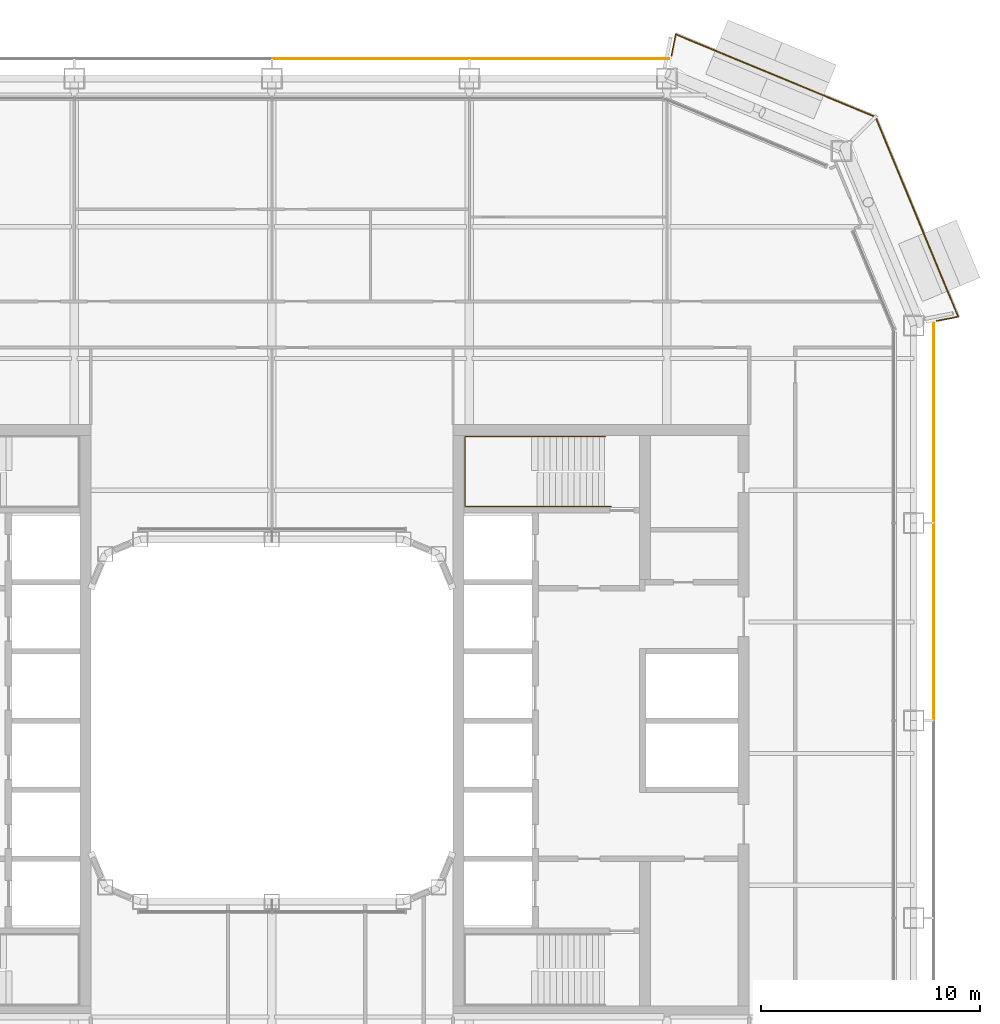
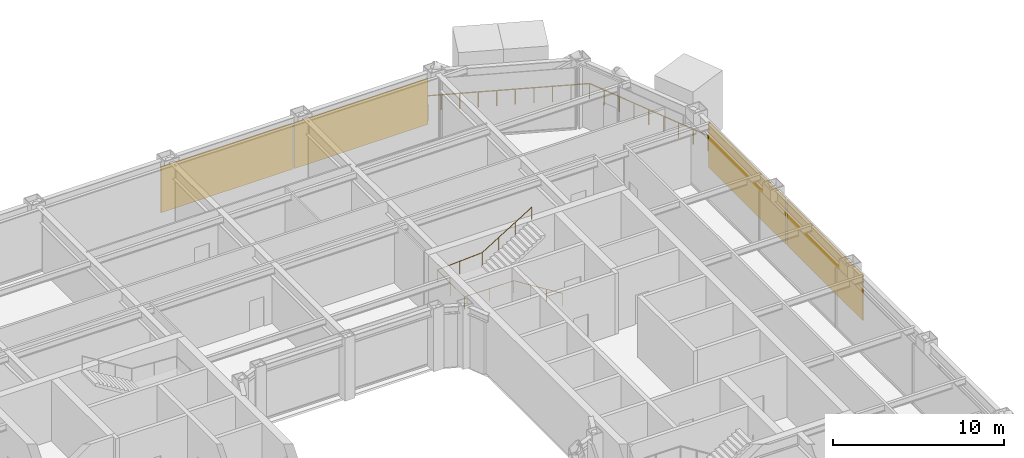
# One storey, part 23 of 24: 4 coverings, 2 railings.
"""IFC4 building model written with IfcOpenShell, lengths in metres."""

import ifcopenshell
import ifcopenshell.guid

model = None  # the IFC model being written
_history = None  # IfcOwnerHistory: only IFC2X3 demands one
_inside = {}  # id of a spatial element -> (the spatial element, [elements in it])
_under = {}  # id of a project, library or spatial element -> (it, [spatial elements below it])
_declared = {}  # id of a project -> (the project, [libraries it declares])
_typed = {}  # id of a type object -> (the type object, [elements of that type])
_made_of = {}  # id of a material, layer set ... -> (it, [elements and type objects made of it])


def new_model(schema):
    """Start an empty IFC model of exactly this schema.

    Asked for "IFC4X3", IfcOpenShell would pick the latest addendum, in which some entities
    have other attributes; the version numbers below select the first issue.
    IFC2X3 requires an IfcOwnerHistory on every rooted entity: one is made here for all.
    """
    global model, _history
    if schema == "IFC4X3":
        model = ifcopenshell.file(schema_version=(4, 3, 0, 0))
    else:
        model = ifcopenshell.file(schema=schema)
    _inside.clear()
    _under.clear()
    _declared.clear()
    _typed.clear()
    _made_of.clear()
    _history = None
    if model.schema == "IFC2X3":
        org = make("IfcOrganization", Name="unknown")
        user = make(
            "IfcPersonAndOrganization",
            ThePerson=make("IfcPerson", FamilyName="unknown"),
            TheOrganization=org,
        )
        app = make(
            "IfcApplication",
            ApplicationDeveloper=org,
            Version="unknown",
            ApplicationFullName="unknown",
            ApplicationIdentifier="unknown",
        )
        _history = make(
            "IfcOwnerHistory",
            OwningUser=user,
            OwningApplication=app,
            ChangeAction="ADDED",
            CreationDate=0,
        )
    return model


def make(cls, **values):
    """One entity of the class cls with the attributes given. An attribute that is None is left unset."""
    return model.create_entity(
        cls, **{name: value for name, value in values.items() if value is not None}
    )


def rooted(cls, **values):
    """An entity with a GlobalId (a new one), such as an element, a storey or a relation."""
    return make(cls, GlobalId=ifcopenshell.guid.new(), OwnerHistory=_history, **values)


def si_unit(unit_type, name, prefix=None):
    """IfcSIUnit, for example si_unit("LENGTHUNIT", "METRE", prefix="MILLI")."""
    return make("IfcSIUnit", UnitType=unit_type, Prefix=prefix, Name=name)


def assignment(units):
    """IfcUnitAssignment: the units of a project."""
    return None if units is None else make("IfcUnitAssignment", Units=units)


def point(xyz):
    """IfcCartesianPoint."""
    return None if xyz is None else make("IfcCartesianPoint", Coordinates=xyz)


def direction(xyz):
    """IfcDirection."""
    return None if xyz is None else make("IfcDirection", DirectionRatios=xyz)


def frame(location, z_axis=None, x_axis=None):
    """IfcAxis2Placement3D, a coordinate frame: its origin and axes. An axis left out is left unset."""
    return make(
        "IfcAxis2Placement3D",
        Location=point(location),
        Axis=direction(z_axis),
        RefDirection=direction(x_axis),
    )


def frame_2d(location, x_axis=None):
    """IfcAxis2Placement2D, a coordinate frame in the plane: its origin and x axis."""
    return make(
        "IfcAxis2Placement2D", Location=point(location), RefDirection=direction(x_axis)
    )


def origin():
    """The frame at (0, 0, 0) with its axes left unset."""
    return frame((0.0, 0.0, 0.0))


def origin_2d():
    """The frame at (0, 0) in the plane with its x axis left unset."""
    return frame_2d((0.0, 0.0))


def place(relative_to, where):
    """IfcLocalPlacement: puts the frame where relative to a parent placement (None: the world)."""
    return make(
        "IfcLocalPlacement", PlacementRelTo=relative_to, RelativePlacement=where
    )


def context(
    kind, dimensions, precision=None, world=None, true_north=None, identifier=None
):
    """IfcGeometricRepresentationContext, for example the 3D "Model" context."""
    return make(
        "IfcGeometricRepresentationContext",
        ContextIdentifier=identifier,
        ContextType=kind,
        CoordinateSpaceDimension=dimensions,
        Precision=precision,
        WorldCoordinateSystem=world,
        TrueNorth=true_north,
    )


def subcontext(parent, identifier, kind, view, scale=None):
    """IfcGeometricRepresentationSubContext, for example "Body" below "Model"."""
    return make(
        "IfcGeometricRepresentationSubContext",
        ContextIdentifier=identifier,
        ContextType=kind,
        ParentContext=parent,
        TargetScale=scale,
        TargetView=view,
    )


def project(units=None, contexts=None):
    """IfcProject with its units and contexts."""
    return rooted(
        "IfcProject",
        Name="project",
        RepresentationContexts=contexts,
        UnitsInContext=assignment(units),
    )


def spatial(cls, under=None, at=None, **own):
    """A site, building, storey or space (cls), placed at a placement, below another one or the project."""
    s = rooted(cls, ObjectPlacement=at, **own)
    if under is not None:
        _under.setdefault(under.id(), (under, []))[1].append(s)
    return s


def profile(cls, at=None, kind="AREA", **sizes):
    """A parametric profile (cls). Its sizes go by their IFC names, for example OverallWidth=200.0."""
    return make(cls, ProfileType=kind, Position=at, **sizes)


def rectangle(**sizes):
    """IfcRectangleProfileDef."""
    return profile("IfcRectangleProfileDef", **sizes)


def circle(**sizes):
    """IfcCircleProfileDef."""
    return profile("IfcCircleProfileDef", **sizes)


def extrude(swept, where, along, depth):
    """IfcExtrudedAreaSolid: the profile swept, set in the frame where, extruded along a direction by depth."""
    return make(
        "IfcExtrudedAreaSolid",
        SweptArea=swept,
        Position=where,
        ExtrudedDirection=direction(along),
        Depth=depth,
    )


def shape(context_of_items, identifier, shape_type, items):
    """IfcShapeRepresentation: the items that make up one representation, for example the "Body"."""
    return make(
        "IfcShapeRepresentation",
        ContextOfItems=context_of_items,
        RepresentationIdentifier=identifier,
        RepresentationType=shape_type,
        Items=items,
    )


def material(Name=None, Category=None):
    """IfcMaterial."""
    return make("IfcMaterial", Name=Name, Category=Category)


def layer(
    of_material, thickness, ventilated=None, Name=None, Category=None, Priority=None
):
    """IfcMaterialLayer: one layer of a wall or slab, of a material (None: an air gap)."""
    return make(
        "IfcMaterialLayer",
        Material=of_material,
        LayerThickness=thickness,
        IsVentilated=ventilated,
        Name=Name,
        Category=Category,
        Priority=Priority,
    )


def layer_set(layers, Name=None):
    """IfcMaterialLayerSet."""
    return make("IfcMaterialLayerSet", MaterialLayers=layers, LayerSetName=Name)


def made_of(thing, what):
    """Note that an element or type object is made of a material, layer set ...; save() writes the relation."""
    if what is not None:
        _made_of.setdefault(what.id(), (what, []))[1].append(thing)
    return thing


def type_object(cls, material=None, **own):
    """A type object (cls), such as IfcWallType, which elements share."""
    return made_of(rooted(cls, **own), material)


def element(
    cls,
    number,
    at=None,
    inside=None,
    cuts=None,
    type_object=None,
    material=None,
    context=None,
    identifier="Body",
    shape_type=None,
    held_by="IfcProductDefinitionShape",
    body=None,
    shapes=None,
    **own,
):
    """One element of the class cls, such as IfcWall. Its Tag is "e" and its number.

    at: its placement. inside: the storey or other place that contains it. cuts: it is an
    opening in that element (IfcRelVoidsElement). A single representation is given by context,
    identifier, shape_type and body (its items); several are given by shapes. held_by: the class
    of the entity that holds the representations. save() writes the other relations.
    """
    e = rooted(cls, Tag="e%d" % number, ObjectPlacement=at, **own)
    if body is not None:
        shapes = [shape(context, identifier, shape_type, body)]
    if shapes is not None:
        e.Representation = make(held_by, Representations=shapes)
    if inside is not None:
        _inside.setdefault(inside.id(), (inside, []))[1].append(e)
    if cuts is not None:
        rooted(
            "IfcRelVoidsElement", RelatingBuildingElement=cuts, RelatedOpeningElement=e
        )
    if type_object is not None:
        _typed.setdefault(type_object.id(), (type_object, []))[1].append(e)
    return made_of(e, material)


def aggregate(whole, parts):
    """IfcRelAggregates: a whole, such as a stair, and the parts it consists of."""
    return rooted("IfcRelAggregates", RelatingObject=whole, RelatedObjects=parts)


def save(model, path):
    """Write the relations noted so far, then the file.

    IfcRelAggregates (storeys below a building ...), IfcRelContainedInSpatialStructure (elements
    in a storey), IfcRelDefinesByType, IfcRelAssociatesMaterial and IfcRelDeclares: one each for
    every whole, place, type object, material and project.
    """
    for whole, parts in _under.values():
        aggregate(whole, parts)
    for where, things in _inside.values():
        rooted(
            "IfcRelContainedInSpatialStructure",
            RelatedElements=things,
            RelatingStructure=where,
        )
    for kind, things in _typed.values():
        rooted("IfcRelDefinesByType", RelatedObjects=things, RelatingType=kind)
    for what, things in _made_of.values():
        rooted("IfcRelAssociatesMaterial", RelatedObjects=things, RelatingMaterial=what)
    for by, libraries in _declared.values():
        rooted("IfcRelDeclares", RelatingContext=by, RelatedDefinitions=libraries)
    model.write(path)


model = new_model("IFC4")

# Units and contexts
model_context = context("Model", 3, precision=1e-05, world=origin(), true_north=direction((0.0, 1.0)))
body_context = subcontext(model_context, "Body", "Model", "MODEL_VIEW")
ifc_project = project(units=[si_unit("LENGTHUNIT", "METRE"), si_unit("AREAUNIT", "SQUARE_METRE"), si_unit("VOLUMEUNIT", "CUBIC_METRE"), si_unit("PLANEANGLEUNIT", "RADIAN"), si_unit("MASSUNIT", "GRAM", prefix="KILO")], contexts=[model_context])

# Site, building, storey
site_placement = place(None, origin())
site = spatial("IfcSite", under=ifc_project, at=site_placement, CompositionType="ELEMENT")
building_placement = place(site_placement, origin())
building = spatial("IfcBuilding", under=site, at=building_placement, Name="Siwar Civic Tower", CompositionType="ELEMENT")
storey_placement = place(building_placement, frame((0.0, 0.0, 113.699951171875)))
storey = spatial("IfcBuildingStorey", under=building, at=storey_placement, Name="L24", CompositionType="ELEMENT", Elevation=113.699951171875)

# Railings
ifc_material_1 = material(Name="Stainless steel", Category="steel")
railing_type_1 = type_object("IfcRailingType", Name="CORE-STAIR-HANDRAIL", PredefinedType="HANDRAIL", material=ifc_material_1)
railing_1_placement = place(storey_placement, frame((15.449951171875, 9.758056640625, 0.173095703125)))
element("IfcRailing", 1, at=railing_1_placement, inside=storey, type_object=railing_type_1, Name="Stair handrail ST3", PredefinedType="HANDRAIL", context=body_context, shape_type="SweptSolid", body=[
    extrude(circle(Radius=0.02001953125, at=origin_2d()), frame((0.0, 0.0, 0.8798828125), z_axis=(-0.847063342986, 0.0, 0.531491950051), x_axis=(0.0, -1.0, 0.0)), (0.0, 0.0, 1.0), 3.90771484375),
    extrude(circle(Radius=0.02001953125, at=origin_2d()), frame((-3.31005859375, 0.0, 2.956787109375), z_axis=(-1.0, 0.0, 0.0), x_axis=(0.0, -1.0, 0.0)), (0.0, 0.0, 1.0), 3.331787109375),
    extrude(circle(Radius=0.02001953125, at=origin_2d()), frame((-6.641845703125, 0.0, 2.956787109375), z_axis=(0.0, 1.0, 0.0), x_axis=(-1.0, 0.0, 0.0)), (0.0, 0.0, 1.0), 3.183837890625),
    extrude(circle(Radius=0.02001953125, at=origin_2d()), frame((-6.641845703125, 3.183837890625, 2.956787109375), z_axis=(0.99837434197, 0.0, 0.056997134106), x_axis=(0.0, 1.0, 0.0)), (0.0, 0.0, 1.0), 3.036865234375),
    extrude(circle(Radius=0.02001953125, at=origin_2d()), frame((-3.60986328125, 3.183837890625, 3.1298828125), z_axis=(0.850606129759, 0.0, 0.525803396734), x_axis=(0.0, 1.0, 0.0)), (0.0, 0.0, 1.0), 3.949951171875),
    extrude(circle(Radius=0.02001953125, at=origin_2d()), origin(), (0.0, 0.0, 1.0), 0.85986328125),
    extrude(circle(Radius=0.02001953125, at=origin_2d()), frame((-1.103271484375, 0.0, 0.6923828125)), (0.0, 0.0, 1.0), 0.85986328125),
    extrude(circle(Radius=0.02001953125, at=origin_2d()), frame((-2.206787109375, 0.0, 1.384521484375)), (0.0, 0.0, 1.0), 0.85986328125),
    extrude(circle(Radius=0.02001953125, at=origin_2d()), frame((-3.31005859375, 0.0, 2.076904296875)), (0.0, 0.0, 1.0), 0.85986328125),
    extrude(circle(Radius=0.02001953125, at=origin_2d()), frame((-4.97607421875, 0.0, 2.076904296875)), (0.0, 0.0, 1.0), 0.85986328125),
    extrude(circle(Radius=0.02001953125, at=origin_2d()), frame((-6.641845703125, 0.0, 2.076904296875)), (0.0, 0.0, 1.0), 0.85986328125),
    extrude(circle(Radius=0.02001953125, at=origin_2d()), frame((-6.641845703125, 1.591796875, 2.076904296875)), (0.0, 0.0, 1.0), 0.85986328125),
    extrude(circle(Radius=0.02001953125, at=origin_2d()), frame((-6.641845703125, 3.183837890625, 2.076904296875)), (0.0, 0.0, 1.0), 0.85986328125),
    extrude(circle(Radius=0.02001953125, at=origin_2d()), frame((-5.1259765625, 3.183837890625, 2.16357421875)), (0.0, 0.0, 1.0), 0.85986328125),
    extrude(circle(Radius=0.02001953125, at=origin_2d()), frame((-3.60986328125, 3.183837890625, 2.25)), (0.0, 0.0, 1.0), 0.85986328125),
    extrude(circle(Radius=0.02001953125, at=origin_2d()), frame((-2.489990234375, 3.183837890625, 2.9423828125)), (0.0, 0.0, 1.0), 0.85986328125),
    extrude(circle(Radius=0.02001953125, at=origin_2d()), frame((-1.369873046875, 3.183837890625, 3.634521484375)), (0.0, 0.0, 1.0), 0.85986328125),
    extrude(circle(Radius=0.02001953125, at=origin_2d()), frame((-0.25, 3.183837890625, 4.326904296875)), (0.0, 0.0, 1.0), 0.85986328125),
])
ifc_material_2 = material(Name="Stainless steel 316", Category="steel")
railing_type_2 = type_object("IfcRailingType", Name="ENV-GUARD", PredefinedType="GUARDRAIL", material=ifc_material_2)
railing_2_placement = place(storey_placement, frame((30.297119140625, 18.208251953125, 0.0)))
element("IfcRailing", 2, at=railing_2_placement, inside=storey, type_object=railing_type_2, Name="Balcony guard NE", PredefinedType="GUARDRAIL", context=body_context, shape_type="SweptSolid", body=[
    extrude(circle(Radius=0.02392578125, at=origin_2d()), frame((0.0, 0.0, 1.076171875), z_axis=(0.980778661911, 0.195123592472, 0.0), x_axis=(-0.195123592472, 0.980778661911, 0.0)), (0.0, 0.0, 1.0), 0.993408203125),
    extrude(circle(Radius=0.02392578125, at=origin_2d()), frame((0.974365234375, 0.19384765625, 1.076171875), z_axis=(-0.38225621169, 0.924056377406, 0.0), x_axis=(-0.924056377406, -0.38225621169, 0.0)), (0.0, 0.0, 1.0), 9.851806640625),
    extrude(circle(Radius=0.02392578125, at=origin_2d()), frame((-2.79150390625, 9.29736328125, 1.076171875), z_axis=(-0.924056377406, 0.38225621169, 0.0), x_axis=(-0.38225621169, -0.924056377406, 0.0)), (0.0, 0.0, 1.0), 9.851806640625),
    extrude(circle(Radius=0.02392578125, at=origin_2d()), frame((-11.89501953125, 13.063232421875, 1.076171875), z_axis=(-0.195123592472, -0.980778661911, 0.0), x_axis=(0.980778661911, -0.195123592472, 0.0)), (0.0, 0.0, 1.0), 0.993408203125),
    extrude(circle(Radius=0.02099609375, at=origin_2d()), origin(), (0.0, 0.0, 1.0), 1.052001953125),
    extrude(circle(Radius=0.02099609375, at=origin_2d()), frame((0.974365234375, 0.19384765625, 0.0)), (0.0, 0.0, 1.0), 1.052001953125),
    extrude(circle(Radius=0.02099609375, at=origin_2d()), frame((0.555908203125, 1.205322265625, 0.0)), (0.0, 0.0, 1.0), 1.052001953125),
    extrude(circle(Radius=0.02099609375, at=origin_2d()), frame((0.137451171875, 2.216796875, 0.0)), (0.0, 0.0, 1.0), 1.052001953125),
    extrude(circle(Radius=0.02099609375, at=origin_2d()), frame((-0.281005859375, 3.228271484375, 0.0)), (0.0, 0.0, 1.0), 1.052001953125),
    extrude(circle(Radius=0.02099609375, at=origin_2d()), frame((-0.699462890625, 4.23974609375, 0.0)), (0.0, 0.0, 1.0), 1.052001953125),
    extrude(circle(Radius=0.02099609375, at=origin_2d()), frame((-1.11767578125, 5.25146484375, 0.0)), (0.0, 0.0, 1.0), 1.052001953125),
    extrude(circle(Radius=0.02099609375, at=origin_2d()), frame((-1.5361328125, 6.262939453125, 0.0)), (0.0, 0.0, 1.0), 1.052001953125),
    extrude(circle(Radius=0.02099609375, at=origin_2d()), frame((-1.95458984375, 7.2744140625, 0.0)), (0.0, 0.0, 1.0), 1.052001953125),
    extrude(circle(Radius=0.02099609375, at=origin_2d()), frame((-2.373046875, 8.285888671875, 0.0)), (0.0, 0.0, 1.0), 1.052001953125),
    extrude(circle(Radius=0.02099609375, at=origin_2d()), frame((-2.79150390625, 9.29736328125, 0.0)), (0.0, 0.0, 1.0), 1.052001953125),
    extrude(circle(Radius=0.02099609375, at=origin_2d()), frame((-3.802978515625, 9.7158203125, 0.0)), (0.0, 0.0, 1.0), 1.052001953125),
    extrude(circle(Radius=0.02099609375, at=origin_2d()), frame((-4.814453125, 10.13427734375, 0.0)), (0.0, 0.0, 1.0), 1.052001953125),
    extrude(circle(Radius=0.02099609375, at=origin_2d()), frame((-5.825927734375, 10.552734375, 0.0)), (0.0, 0.0, 1.0), 1.052001953125),
    extrude(circle(Radius=0.02099609375, at=origin_2d()), frame((-6.83740234375, 10.97119140625, 0.0)), (0.0, 0.0, 1.0), 1.052001953125),
    extrude(circle(Radius=0.02099609375, at=origin_2d()), frame((-7.84912109375, 11.389404296875, 0.0)), (0.0, 0.0, 1.0), 1.052001953125),
    extrude(circle(Radius=0.02099609375, at=origin_2d()), frame((-8.860595703125, 11.807861328125, 0.0)), (0.0, 0.0, 1.0), 1.052001953125),
    extrude(circle(Radius=0.02099609375, at=origin_2d()), frame((-9.8720703125, 12.226318359375, 0.0)), (0.0, 0.0, 1.0), 1.052001953125),
    extrude(circle(Radius=0.02099609375, at=origin_2d()), frame((-10.883544921875, 12.644775390625, 0.0)), (0.0, 0.0, 1.0), 1.052001953125),
    extrude(circle(Radius=0.02099609375, at=origin_2d()), frame((-11.89501953125, 13.063232421875, 0.0)), (0.0, 0.0, 1.0), 1.052001953125),
    extrude(circle(Radius=0.02099609375, at=origin_2d()), frame((-12.0888671875, 12.0888671875, 0.0)), (0.0, 0.0, 1.0), 1.052001953125),
])

# Coverings
ifc_material_3 = material(Name="Perforated aluminium cassette, pale metal", Category="aluminium")
ifc_layer = layer(ifc_material_3, 0.0400390625)
ifc_layer_set = layer_set([ifc_layer], Name="Perforated aluminium cassette, pale metal")
covering_type = type_object("IfcCoveringType", Name="ENV-OUTER SKIN OS-1", PredefinedType="CLADDING", material=ifc_layer_set)
covering_1_placement = place(storey_placement, frame((30.14990234375, 4.5, -0.14990234375), z_axis=(0.0, 0.0, 1.0), x_axis=(0.0, 1.0, 0.0)))
element("IfcCovering", 3, at=covering_1_placement, inside=storey, type_object=covering_type, Name="OUTER SKIN OS-1 E 3", PredefinedType="CLADDING", context=body_context, shape_type="SweptSolid", body=[
    extrude(rectangle(XDim=8.89990234375, YDim=0.0400390625, at=origin_2d()), origin(), (0.0, 0.0, 1.0), 3.300048828125),
])
for number, where, z_axis, x_axis, name in (
    (4, (30.14990234375, 13.57958984375, -0.14990234375), (0.0, 0.0, 1.0), (0.0, 1.0, 0.0), "OUTER SKIN OS-1 E 4"),
    (5, (13.57958984375, 30.14990234375, -0.14990234375), (0.0, 0.0, 1.0), (-1.0, 0.0, 0.0), "OUTER SKIN OS-1 N 1"),
):
    element("IfcCovering", number, at=place(storey_placement, frame(where, z_axis=z_axis, x_axis=x_axis)), inside=storey, type_object=covering_type, Name=name, PredefinedType="CLADDING", context=body_context, shape_type="SweptSolid", body=[
        extrude(rectangle(XDim=9.05908203125, YDim=0.0400390625, at=origin_2d()), origin(), (0.0, 0.0, 1.0), 3.300048828125),
    ])
covering_2_placement = place(storey_placement, frame((4.5, 30.14990234375, -0.14990234375), z_axis=(0.0, 0.0, 1.0), x_axis=(-1.0, 0.0, 0.0)))
element("IfcCovering", 6, at=covering_2_placement, inside=storey, type_object=covering_type, Name="OUTER SKIN OS-1 N 2", PredefinedType="CLADDING", context=body_context, shape_type="SweptSolid", body=[
    extrude(rectangle(XDim=8.89990234375, YDim=0.0400390625, at=origin_2d()), origin(), (0.0, 0.0, 1.0), 3.300048828125),
])

save(model, "model.ifc")
